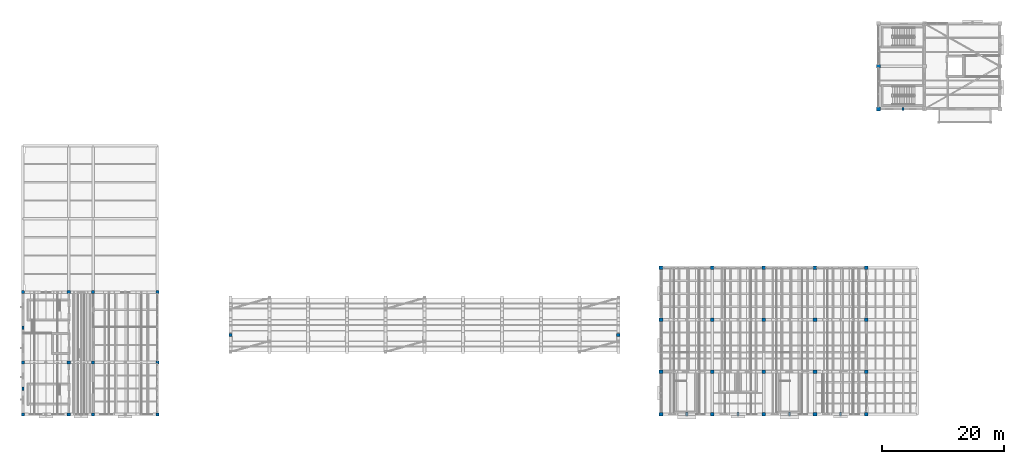
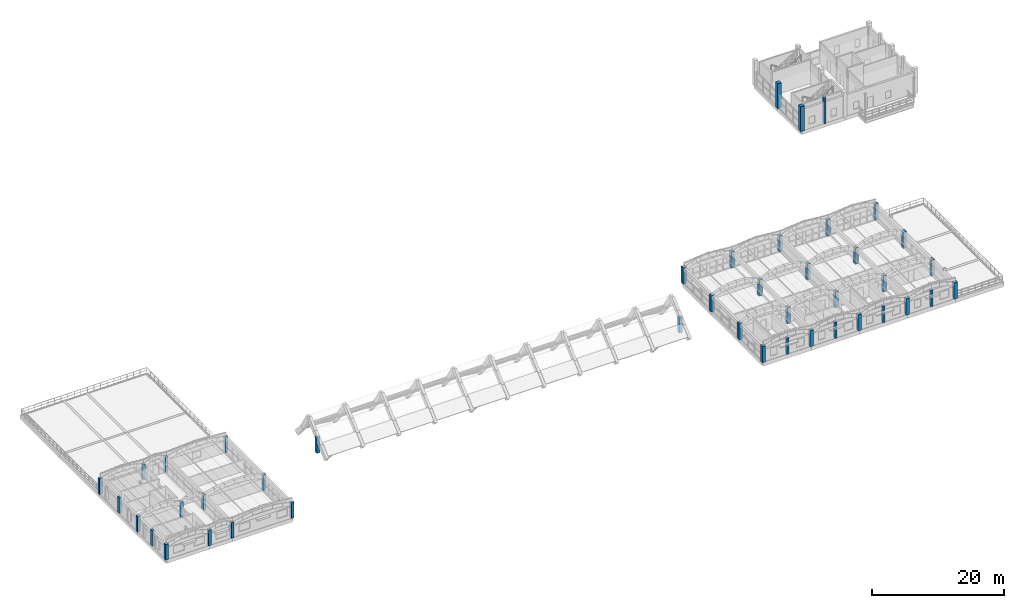
# One storey, part 1 of 40: 43 columns.
"""IFC4 building model written with IfcOpenShell, lengths in metres."""

from ifc_helpers import new_model, si_unit, direction, frame, origin, origin_2d, place, context, subcontext, project, spatial, rectangle, extrude, material, material_profile, profile_set, type_object, element, save


model = new_model("IFC4")

# Units and contexts
model_context = context("Model", 3, precision=1e-05, world=origin(), true_north=direction((0.0, 1.0)))
body_context = subcontext(model_context, "Body", "Model", "MODEL_VIEW")
ifc_project = project(units=[si_unit("LENGTHUNIT", "METRE"), si_unit("AREAUNIT", "SQUARE_METRE"), si_unit("VOLUMEUNIT", "CUBIC_METRE"), si_unit("PLANEANGLEUNIT", "RADIAN"), si_unit("MASSUNIT", "GRAM", prefix="KILO")], contexts=[model_context])

# Site, building, storey
site_placement = place(None, origin())
site = spatial("IfcSite", under=ifc_project, at=site_placement, CompositionType="ELEMENT")
building_placement = place(site_placement, origin())
building = spatial("IfcBuilding", under=site, at=building_placement, Name="Trellovar Central Fire Station", CompositionType="ELEMENT")
storey_placement = place(building_placement, frame((0.0, 0.0, 12.75)))
storey = spatial("IfcBuildingStorey", under=building, at=storey_placement, Name="L04", CompositionType="ELEMENT", Elevation=12.75)

# Columns
ifc_material_1 = material(Name="Concrete C40/50", Category="concrete")
ifc_material_profile_1 = material_profile(ifc_material_1, rectangle(XDim=0.64990234375, YDim=0.64990234375, at=origin_2d()), Name="RC650X650")
ifc_profile_set_1 = profile_set([ifc_material_profile_1], Name="Concrete C40/50")
column_type_1 = type_object("IfcColumnType", Name="COL-C5", PredefinedType="COLUMN", material=ifc_profile_set_1)
for number, where, z_axis, x_axis, name in (
    (1, (141.10009765625, 59.0, 0.0), (0.0, 0.0, 1.0), (1.0, 0.0, 0.0), "L04 column C-5"),
    (2, (141.10009765625, 66.0, 0.0), (0.0, 0.0, 1.0), (1.0, 0.0, 0.0), "L04 column C-5"),
):
    element("IfcColumn", number, at=place(storey_placement, frame(where, z_axis=z_axis, x_axis=x_axis)), inside=storey, type_object=column_type_1, Name=name, PredefinedType="COLUMN", context=body_context, shape_type="SweptSolid", body=[
        extrude(rectangle(XDim=0.64990234375, YDim=0.64990234375, at=origin_2d()), origin(), (0.0, 0.0, 1.0), 4.64990234375),
    ])
ifc_material_2 = material(Name="Concrete C40/50", Category="concrete")
ifc_material_profile_2 = material_profile(ifc_material_2, rectangle(XDim=0.60009765625, YDim=0.60009765625, at=origin_2d()), Name="RC600X600")
ifc_profile_set_2 = profile_set([ifc_material_profile_2], Name="Concrete C40/50")
column_type_2 = type_object("IfcColumnType", Name="COL-C6", PredefinedType="COLUMN", material=ifc_profile_set_2)
for number, where, z_axis, x_axis, name in (
    (3, (105.5, 9.0, 0.0), (0.0, 0.0, 1.0), (1.0, 0.0, 0.0), "L04 column C-6"),
    (4, (105.5, 16.0, 0.0), (0.0, 0.0, 1.0), (1.0, 0.0, 0.0), "L04 column C-6"),
    (5, (105.5, 24.5, 0.0), (0.0, 0.0, 1.0), (1.0, 0.0, 0.0), "L04 column C-6"),
    (6, (105.5, 33.0, 0.0), (0.0, 0.0, 1.0), (1.0, 0.0, 0.0), "L04 column C-6"),
    (7, (113.89990234375, 9.0, 0.0), (0.0, 0.0, 1.0), (1.0, 0.0, 0.0), "L04 column C-6"),
    (8, (113.89990234375, 16.0, 0.0), (0.0, 0.0, 1.0), (1.0, 0.0, 0.0), "L04 column C-6"),
    (9, (113.89990234375, 24.5, 0.0), (0.0, 0.0, 1.0), (1.0, 0.0, 0.0), "L04 column C-6"),
    (10, (113.89990234375, 33.0, 0.0), (0.0, 0.0, 1.0), (1.0, 0.0, 0.0), "L04 column C-6"),
    (11, (122.300048828125, 9.0, 0.0), (0.0, 0.0, 1.0), (1.0, 0.0, 0.0), "L04 column C-6"),
    (12, (122.300048828125, 16.0, 0.0), (0.0, 0.0, 1.0), (1.0, 0.0, 0.0), "L04 column C-6"),
    (13, (122.300048828125, 24.5, 0.0), (0.0, 0.0, 1.0), (1.0, 0.0, 0.0), "L04 column C-6"),
    (14, (122.300048828125, 33.0, 0.0), (0.0, 0.0, 1.0), (1.0, 0.0, 0.0), "L04 column C-6"),
    (15, (130.699951171875, 9.0, 0.0), (0.0, 0.0, 1.0), (1.0, 0.0, 0.0), "L04 column C-6"),
    (16, (130.699951171875, 16.0, 0.0), (0.0, 0.0, 1.0), (1.0, 0.0, 0.0), "L04 column C-6"),
    (17, (130.699951171875, 24.5, 0.0), (0.0, 0.0, 1.0), (1.0, 0.0, 0.0), "L04 column C-6"),
    (18, (130.699951171875, 33.0, 0.0), (0.0, 0.0, 1.0), (1.0, 0.0, 0.0), "L04 column C-6"),
    (19, (139.10009765625, 9.0, 0.0), (0.0, 0.0, 1.0), (1.0, 0.0, 0.0), "L04 column C-6"),
    (20, (139.10009765625, 16.0, 0.0), (0.0, 0.0, 1.0), (1.0, 0.0, 0.0), "L04 column C-6"),
    (21, (139.10009765625, 24.5, 0.0), (0.0, 0.0, 1.0), (1.0, 0.0, 0.0), "L04 column C-6"),
    (22, (139.10009765625, 33.0, 0.0), (0.0, 0.0, 1.0), (1.0, 0.0, 0.0), "L04 column C-6"),
):
    element("IfcColumn", number, at=place(storey_placement, frame(where, z_axis=z_axis, x_axis=x_axis)), inside=storey, type_object=column_type_2, Name=name, PredefinedType="COLUMN", context=body_context, shape_type="SweptSolid", body=[
        extrude(rectangle(XDim=0.60009765625, YDim=0.60009765625, at=origin_2d()), origin(), (0.0, 0.0, 1.0), 3.0),
    ])
ifc_material_3 = material(Name="Concrete C40/50", Category="concrete")
ifc_material_profile_3 = material_profile(ifc_material_3, rectangle(XDim=0.550048828125, YDim=0.550048828125, at=origin_2d()), Name="RC550X550")
ifc_profile_set_3 = profile_set([ifc_material_profile_3], Name="Concrete C40/50")
column_type_3 = type_object("IfcColumnType", Name="COL-C7", PredefinedType="COLUMN", material=ifc_profile_set_3)
for number, where, z_axis, x_axis, name in (
    (23, (35.0, 22.0, 0.0), (0.0, 0.0, 1.0), (1.0, 0.0, 0.0), "V1 gable pier L04 (35.0,22.0)"),
    (24, (98.5, 22.0, 0.0), (0.0, 0.0, 1.0), (1.0, 0.0, 0.0), "V1 gable pier L04 (98.5,22.0)"),
):
    element("IfcColumn", number, at=place(storey_placement, frame(where, z_axis=z_axis, x_axis=x_axis)), inside=storey, type_object=column_type_3, Name=name, PredefinedType="COLUMN", context=body_context, shape_type="SweptSolid", body=[
        extrude(rectangle(XDim=0.550048828125, YDim=0.550048828125, at=origin_2d()), origin(), (0.0, 0.0, 1.0), 2.87548828125),
    ])
ifc_material_4 = material(Name="Concrete C40/50", Category="concrete")
ifc_material_profile_4 = material_profile(ifc_material_4, rectangle(XDim=0.5, YDim=0.5, at=origin_2d()), Name="RC500X500")
ifc_profile_set_4 = profile_set([ifc_material_profile_4], Name="Concrete C40/50")
column_type_4 = type_object("IfcColumnType", Name="COL-C8", PredefinedType="COLUMN", material=ifc_profile_set_4)
for number, where, z_axis, x_axis, name in (
    (25, (1.0, 9.0, 0.0), (0.0, 0.0, 1.0), (1.0, 0.0, 0.0), "L04 column C-8"),
    (26, (1.0, 17.5, 0.0), (0.0, 0.0, 1.0), (1.0, 0.0, 0.0), "L04 column C-8"),
    (27, (1.0, 29.0, 0.0), (0.0, 0.0, 1.0), (1.0, 0.0, 0.0), "L04 column C-8"),
    (28, (8.5, 9.0, 0.0), (0.0, 0.0, 1.0), (1.0, 0.0, 0.0), "L04 column C-8"),
    (29, (8.5, 17.5, 0.0), (0.0, 0.0, 1.0), (1.0, 0.0, 0.0), "L04 column C-8"),
    (30, (8.5, 29.0, 0.0), (0.0, 0.0, 1.0), (1.0, 0.0, 0.0), "L04 column C-8"),
    (31, (12.5, 9.0, 0.0), (0.0, 0.0, 1.0), (1.0, 0.0, 0.0), "L04 column C-8"),
    (32, (12.5, 17.5, 0.0), (0.0, 0.0, 1.0), (1.0, 0.0, 0.0), "L04 column C-8"),
    (33, (12.5, 29.0, 0.0), (0.0, 0.0, 1.0), (1.0, 0.0, 0.0), "L04 column C-8"),
    (34, (23.0, 9.0, 0.0), (0.0, 0.0, 1.0), (1.0, 0.0, 0.0), "L04 column C-8"),
    (35, (23.0, 17.5, 0.0), (0.0, 0.0, 1.0), (1.0, 0.0, 0.0), "L04 column C-8"),
    (36, (23.0, 29.0, 0.0), (0.0, 0.0, 1.0), (1.0, 0.0, 0.0), "L04 column C-8"),
):
    element("IfcColumn", number, at=place(storey_placement, frame(where, z_axis=z_axis, x_axis=x_axis)), inside=storey, type_object=column_type_4, Name=name, PredefinedType="COLUMN", context=body_context, shape_type="SweptSolid", body=[
        extrude(rectangle(XDim=0.5, YDim=0.5, at=origin_2d()), origin(), (0.0, 0.0, 1.0), 2.89990234375),
    ])
ifc_material_5 = material(Name="Concrete C40/50", Category="concrete")
ifc_material_profile_5 = material_profile(ifc_material_5, rectangle(XDim=0.35009765625, YDim=0.550048828125, at=origin_2d()), Name="RC350X550")
ifc_profile_set_5 = profile_set([ifc_material_profile_5], Name="Concrete C40/50")
column_type_5 = type_object("IfcColumnType", Name="COL-PIL2", PredefinedType="PILASTER", material=ifc_profile_set_5)
for number, where, z_axis, x_axis, name in (
    (37, (1.0, 13.199951171875, 0.0), (0.0, 0.0, 1.0), (1.0, 0.0, 0.0), "V4 west projecting sun-pier L04-1"),
    (38, (1.0, 23.199951171875, 0.0), (0.0, 0.0, 1.0), (1.0, 0.0, 0.0), "V4 west projecting sun-pier L04-2"),
):
    element("IfcColumn", number, at=place(storey_placement, frame(where, z_axis=z_axis, x_axis=x_axis)), inside=storey, type_object=column_type_5, Name=name, PredefinedType="PILASTER", context=body_context, shape_type="SweptSolid", body=[
        extrude(rectangle(XDim=0.35009765625, YDim=0.550048828125, at=origin_2d()), origin(), (0.0, 0.0, 1.0), 2.89990234375),
    ])
for number, where, z_axis, x_axis, name in (
    (39, (109.699951171875, 9.0, 0.0), (0.0, 0.0, 1.0), (1.0, 0.0, 0.0), "V5 south boulevard sun-pier L04-1"),
    (40, (118.10009765625, 9.0, 0.0), (0.0, 0.0, 1.0), (1.0, 0.0, 0.0), "V5 south boulevard sun-pier L04-2"),
    (41, (126.5, 9.0, 0.0), (0.0, 0.0, 1.0), (1.0, 0.0, 0.0), "V5 south boulevard sun-pier L04-3"),
    (42, (134.89990234375, 9.0, 0.0), (0.0, 0.0, 1.0), (1.0, 0.0, 0.0), "V5 south boulevard sun-pier L04-4"),
):
    element("IfcColumn", number, at=place(storey_placement, frame(where, z_axis=z_axis, x_axis=x_axis)), inside=storey, type_object=column_type_5, Name=name, PredefinedType="PILASTER", context=body_context, shape_type="SweptSolid", body=[
        extrude(rectangle(XDim=0.35009765625, YDim=0.550048828125, at=origin_2d()), origin(), (0.0, 0.0, 1.0), 3.0),
    ])
column_placement = place(storey_placement, frame((145.10009765625, 59.0, 0.0), z_axis=(0.0, 0.0, 1.0), x_axis=(1.0, 0.0, 0.0)))
element("IfcColumn", 43, at=column_placement, inside=storey, type_object=column_type_5, Name="V2 drill tower vertical buttress fin L04-1", PredefinedType="PILASTER", context=body_context, shape_type="SweptSolid", body=[
    extrude(rectangle(XDim=0.35009765625, YDim=0.550048828125, at=origin_2d()), origin(), (0.0, 0.0, 1.0), 4.64990234375),
])

save(model, "model.ifc")
